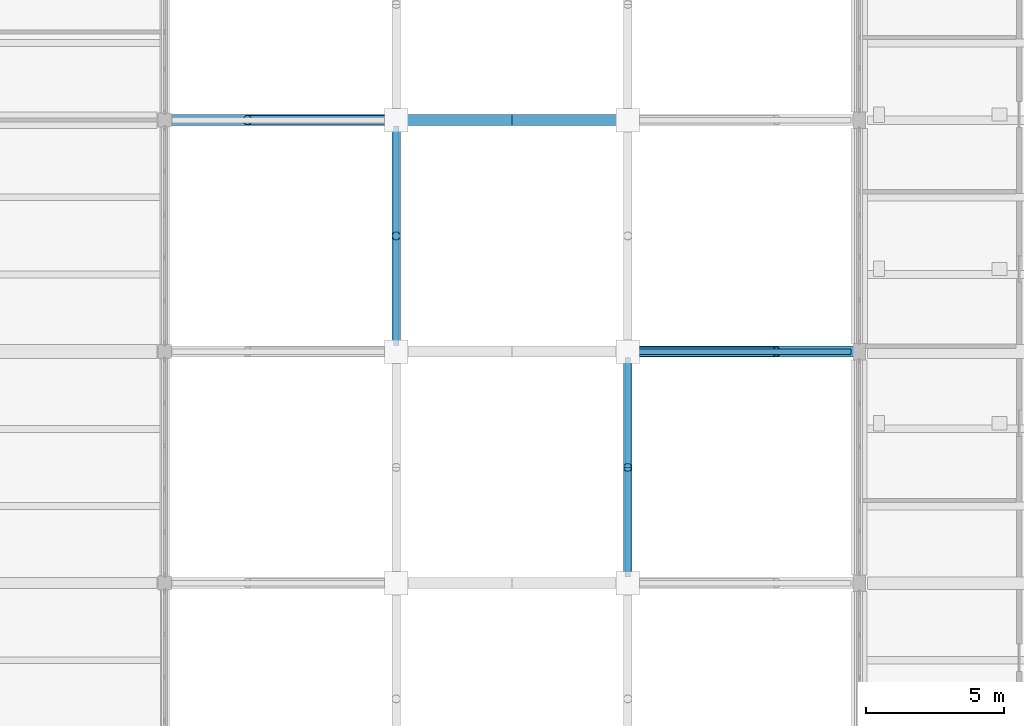
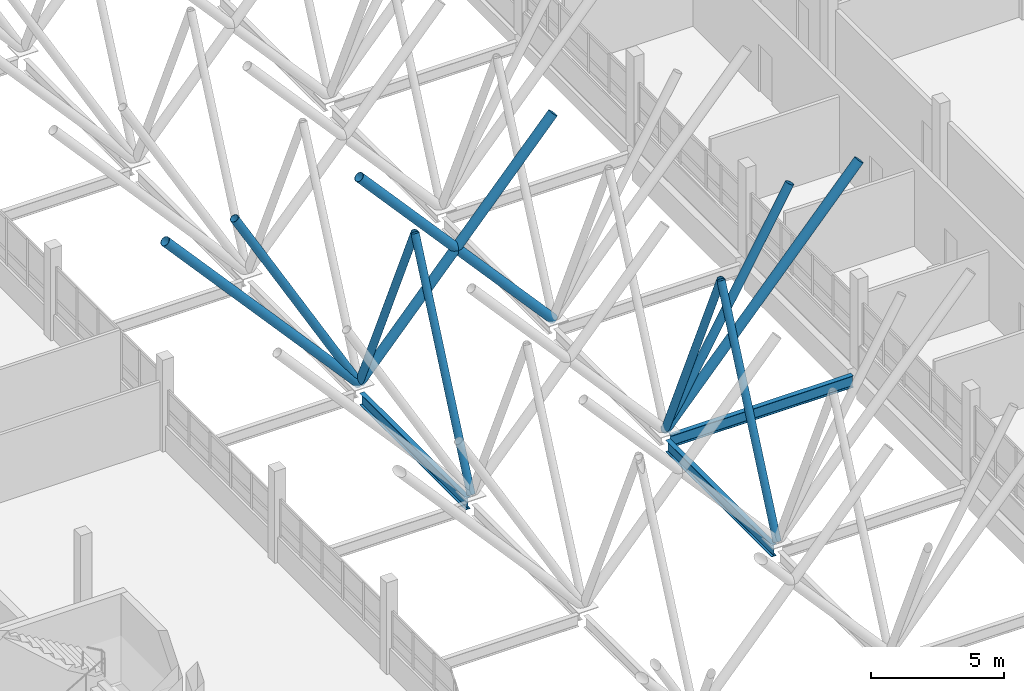
# One storey, part 20 of 107: 10 members, 3 beams.
"""IFC4 building model written with IfcOpenShell, lengths in metres."""

from ifc_helpers import new_model, si_unit, direction, frame, origin, origin_2d, place, context, subcontext, project, spatial, hollow_circle, i_section, extrude, material, material_profile, profile_set, type_object, element, save


model = new_model("IFC4")

# Units and contexts
model_context = context("Model", 3, precision=1e-05, world=origin(), true_north=direction((0.0, 1.0)))
body_context = subcontext(model_context, "Body", "Model", "MODEL_VIEW")
ifc_project = project(units=[si_unit("LENGTHUNIT", "METRE"), si_unit("AREAUNIT", "SQUARE_METRE"), si_unit("VOLUMEUNIT", "CUBIC_METRE"), si_unit("PLANEANGLEUNIT", "RADIAN"), si_unit("MASSUNIT", "GRAM", prefix="KILO")], contexts=[model_context])

# Site, building, storey
site_placement = place(None, origin())
site = spatial("IfcSite", under=ifc_project, at=site_placement, CompositionType="ELEMENT")
building_placement = place(site_placement, origin())
building = spatial("IfcBuilding", under=site, at=building_placement, Name="Vireocrest Preparatory School", CompositionType="ELEMENT")
storey_placement = place(building_placement, frame((0.0, 0.0, 13.199951171875)))
storey = spatial("IfcBuildingStorey", under=building, at=storey_placement, Name="L03", CompositionType="ELEMENT", Elevation=13.199951171875)

# Beams
ifc_material_1 = material(Name="Structural steel ASTM A992 Grade 50", Category="steel")
ifc_material_profile_1 = material_profile(ifc_material_1, i_section(OverallWidth=0.208984375, OverallDepth=0.532958984375, WebThickness=0.01025390625, FlangeThickness=0.015625, FilletRadius=0.014892578125, at=origin_2d()), Name="W21X62")
ifc_profile_set_1 = profile_set([ifc_material_profile_1], Name="Structural steel ASTM A992 Grade 50")
beam_type = type_object("IfcBeamType", Name="Court Tie Girder W21X62", PredefinedType="BEAM", material=ifc_profile_set_1)
beam_placement = place(storey_placement, frame((84.2236328125, 52.199951171875, -0.56640625), z_axis=(1.0, 0.0, 0.0), x_axis=(0.0, 1.0, 0.0)))
element("IfcBeam", 1, at=beam_placement, inside=storey, type_object=beam_type, Name="Court Trunk Lateral Tie Girder SB5 E4 L03", PredefinedType="BEAM", context=body_context, shape_type="SweptSolid", body=[
    extrude(i_section(OverallWidth=0.208984375, OverallDepth=0.532958984375, WebThickness=0.01025390625, FlangeThickness=0.015625, FilletRadius=0.014892578125, at=origin_2d()), origin(), (0.0, 0.0, 1.0), 7.88134765625),
])
for number, where, z_axis, x_axis, name in (
    (2, (84.0, 44.02001953125, -0.56640625), (0.0, 1.0, 0.0), (-1.0, 0.0, 0.0), "Court Trunk Spine Girder SB5 E3 L03"),
    (3, (75.60009765625, 52.419921875, -0.56640625), (0.0, 1.0, 0.0), (-1.0, 0.0, 0.0), "Court Trunk Spine Girder SB5 W4 L03"),
):
    element("IfcBeam", number, at=place(storey_placement, frame(where, z_axis=z_axis, x_axis=x_axis)), inside=storey, type_object=beam_type, Name=name, PredefinedType="BEAM", context=body_context, shape_type="SweptSolid", body=[
        extrude(i_section(OverallWidth=0.208984375, OverallDepth=0.532958984375, WebThickness=0.01025390625, FlangeThickness=0.015625, FilletRadius=0.014892578125, at=origin_2d()), origin(), (0.0, 0.0, 1.0), 7.9599609375),
    ])

# Members
ifc_material_2 = material(Name="Painted white steel ASTM A500 Grade C", Category="steel")
ifc_material_profile_2 = material_profile(ifc_material_2, hollow_circle(Radius=0.161865234375, WallThickness=0.0126953125, at=origin_2d()), Name="HSS12.750X0.500")
ifc_profile_set_2 = profile_set([ifc_material_profile_2], Name="Painted white steel ASTM A500 Grade C")
member_type_1 = type_object("IfcMemberType", Name="White Steel Canopy Tie Strut HSS12.750X0.500", PredefinedType="USERDEFINED", material=ifc_profile_set_2)
for number, where, z_axis, x_axis, name in (
    (4, (84.0, 43.800048828125, -0.0048828125), (0.0, 0.407216567456, 0.913331630455), (-1.0, 0.0, 0.0), "Longitudinal V-Strut VS2 E3-N"),
    (5, (75.60009765625, 52.199951171875, -0.0048828125), (0.0, 0.407216567456, 0.913331630455), (-1.0, 0.0, 0.0), "Longitudinal V-Strut VS2 W4-N"),
    (6, (84.0, 52.199951171875, -0.0048828125), (0.0, -0.407216567456, 0.913331630455), (1.0, 0.0, 0.0), "Longitudinal V-Strut VS2 E4-S"),
):
    element("IfcMember", number, at=place(storey_placement, frame(where, z_axis=z_axis, x_axis=x_axis)), inside=storey, type_object=member_type_1, Name=name, ObjectType="STRUT", PredefinedType="USERDEFINED", context=body_context, shape_type="SweptSolid", body=[
        extrude(hollow_circle(Radius=0.161865234375, WallThickness=0.0126953125, at=origin_2d()), origin(), (0.0, 0.0, 1.0), 10.313720703125),
    ])
member_1_placement = place(storey_placement, frame((75.60009765625, 60.60009765625, -0.0048828125), z_axis=(0.0, -0.40723631313, 0.913322826425), x_axis=(1.0, 0.0, 0.0)))
element("IfcMember", 7, at=member_1_placement, inside=storey, type_object=member_type_1, Name="Longitudinal V-Strut VS2 W5-S", ObjectType="STRUT", PredefinedType="USERDEFINED", context=body_context, shape_type="SweptSolid", body=[
    extrude(hollow_circle(Radius=0.161865234375, WallThickness=0.0126953125, at=origin_2d()), origin(), (0.0, 0.0, 1.0), 10.31396484375),
])
ifc_material_profile_3 = material_profile(ifc_material_2, hollow_circle(Radius=0.177734375, WallThickness=0.0126953125, at=origin_2d()), Name="HSS14.000X0.500")
ifc_profile_set_3 = profile_set([ifc_material_profile_3], Name="Painted white steel ASTM A500 Grade C")
member_type_2 = type_object("IfcMemberType", Name="White Steel Canopy V-Strut HSS14.000X0.500", PredefinedType="USERDEFINED", material=ifc_profile_set_3)
member_2_placement = place(storey_placement, frame((84.0, 52.199951171875, -0.010009765625), z_axis=(0.496917813622, 0.0, 0.867797606879), x_axis=(0.0, 1.0, 0.0)))
element("IfcMember", 8, at=member_2_placement, inside=storey, type_object=member_type_2, Name="White Steel V-Strut VS1 E4", ObjectType="STRUT", PredefinedType="USERDEFINED", context=body_context, shape_type="SweptSolid", body=[
    extrude(hollow_circle(Radius=0.177734375, WallThickness=0.0126953125, at=origin_2d()), origin(), (0.0, 0.0, 1.0), 10.86669921875),
])
member_3_placement = place(storey_placement, frame((75.60009765625, 60.60009765625, -0.010009765625), z_axis=(-0.496934732374, 0.0, 0.867787918653), x_axis=(0.0, -1.0, 0.0)))
element("IfcMember", 9, at=member_3_placement, inside=storey, type_object=member_type_2, Name="White Steel V-Strut VS1 W5", ObjectType="STRUT", PredefinedType="USERDEFINED", context=body_context, shape_type="SweptSolid", body=[
    extrude(hollow_circle(Radius=0.177734375, WallThickness=0.0126953125, at=origin_2d()), origin(), (0.0, 0.0, 1.0), 10.866943359375),
])
ifc_material_profile_4 = material_profile(ifc_material_2, hollow_circle(Radius=0.203125, WallThickness=0.0126953125, at=origin_2d()), Name="HSS16.000X0.500")
ifc_profile_set_4 = profile_set([ifc_material_profile_4], Name="Painted white steel ASTM A500 Grade C")
member_type_3 = type_object("IfcMemberType", Name="White Steel V-Column Branch HSS16.000X0.500", PredefinedType="USERDEFINED", material=ifc_profile_set_4)
for number, where, z_axis, x_axis, name in (
    (10, (84.0, 52.199951171875, -0.010009765625), (0.665138630213, 0.0, 0.746719895676), (0.0, 1.0, 0.0), "White Steel V-Column Branch VC3 E4-A2"),
    (11, (75.60009765625, 60.60009765625, -0.010009765625), (-0.665149409377, 0.0, 0.746710294027), (0.0, -1.0, 0.0), "White Steel V-Column Branch VC3 W5-A1"),
    (12, (75.60009765625, 60.60009765625, -0.010009765625), (0.665138630213, 0.0, 0.746719895676), (0.0, 1.0, 0.0), "White Steel V-Column Branch VC3 W5-A2"),
    (13, (84.0, 60.60009765625, -0.010009765625), (-0.665138630213, 0.0, 0.746719895676), (0.0, -1.0, 0.0), "White Steel V-Column Branch VC3 E5-A1"),
):
    element("IfcMember", number, at=place(storey_placement, frame(where, z_axis=z_axis, x_axis=x_axis)), inside=storey, type_object=member_type_3, Name=name, ObjectType="STRUT", PredefinedType="USERDEFINED", context=body_context, shape_type="SweptSolid", body=[
        extrude(hollow_circle(Radius=0.203125, WallThickness=0.0126953125, at=origin_2d()), origin(), (0.0, 0.0, 1.0), 12.62890625),
    ])

save(model, "model.ifc")
